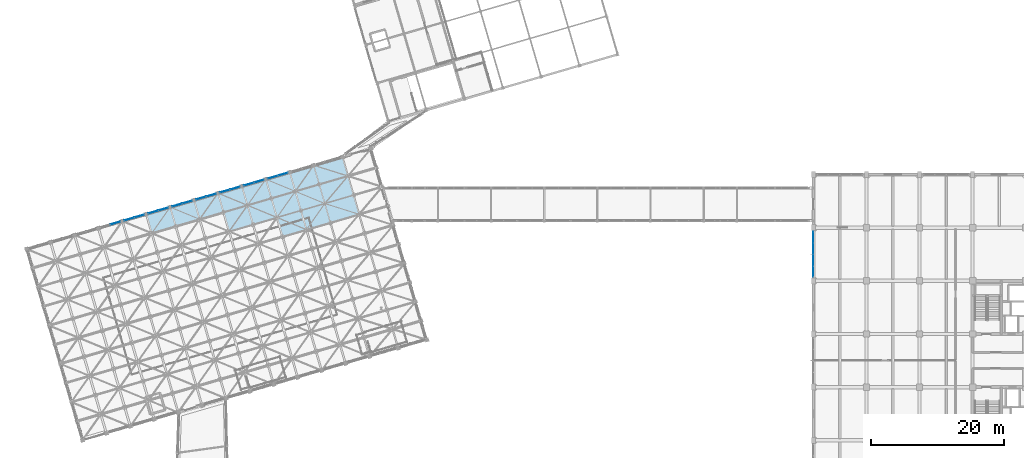
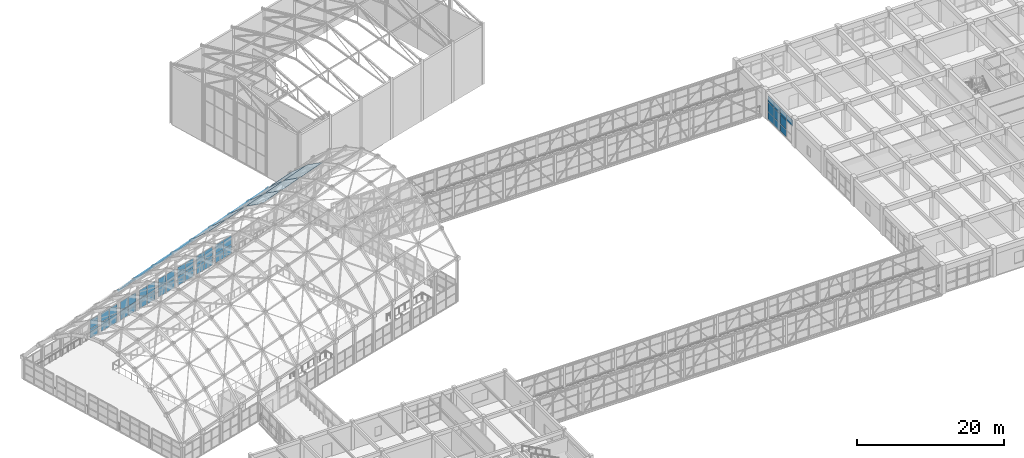
# One storey, part 207 of 248: 56 plates, 9 elements without a shape of their own.
"""IFC4 building model written with IfcOpenShell, lengths in metres."""

from ifc_helpers import new_model, si_unit, direction, frame, origin, origin_2d, place, context, subcontext, project, spatial, polyline, rectangle, outline, extrude, material, layer, layer_set, type_object, element, aggregate, save


model = new_model("IFC4")

# Units and contexts
model_context = context("Model", 3, precision=1e-05, world=origin(), true_north=direction((0.0, 1.0)))
body_context = subcontext(model_context, "Body", "Model", "MODEL_VIEW")
ifc_project = project(units=[si_unit("LENGTHUNIT", "METRE"), si_unit("AREAUNIT", "SQUARE_METRE"), si_unit("VOLUMEUNIT", "CUBIC_METRE"), si_unit("PLANEANGLEUNIT", "RADIAN"), si_unit("MASSUNIT", "GRAM", prefix="KILO")], contexts=[model_context])

# Site, building, storey
site_placement = place(None, origin())
site = spatial("IfcSite", under=ifc_project, at=site_placement, CompositionType="ELEMENT")
building_placement = place(site_placement, origin())
building = spatial("IfcBuilding", under=site, at=building_placement, Name="Canggui Botanical Conservatory", CompositionType="ELEMENT")
storey_placement = place(building_placement, frame((0.0, 0.0, 5.39990234375)))
storey = spatial("IfcBuildingStorey", under=building, at=storey_placement, Name="L02", CompositionType="ELEMENT", Elevation=5.39990234375)

# Curtain wall, plates
ifc_material_1 = material(Name="Thermally Broken Aluminium", Category="aluminium")
ifc_layer_1 = layer(ifc_material_1, 0.1650390625, Name="Thermally Broken Aluminium", Category="aluminium")
ifc_layer_set_1 = layer_set([ifc_layer_1], Name="Thermally Broken Aluminium")
curtain_wall_type_1 = type_object("IfcCurtainWallType", Name="CW-UNIT-B", PredefinedType="USERDEFINED", material=ifc_layer_set_1)
curtain_wall_1_placement = place(storey_placement, origin())
curtain_wall_1 = element("IfcCurtainWall", 1, at=curtain_wall_1_placement, inside=storey, type_object=curtain_wall_type_1, Name="Facade Curtain Wall CW-TWR-L02-12", ObjectType="UNITISED CURTAIN WALL", PredefinedType="USERDEFINED")
ifc_material_2 = material(Name="Low-E Insulated Glass", Category="glass")
ifc_layer_2 = layer(ifc_material_2, 0.030029296875, Name="Low-E Insulated Glass", Category="glass")
ifc_layer_set_2 = layer_set([ifc_layer_2], Name="Low-E Insulated Glass")
plate_type_1 = type_object("IfcPlateType", Name="CWP-02", PredefinedType="CURTAIN_PANEL", material=ifc_layer_set_2)
plate_1_placement = place(storey_placement, frame((130.0, 67.436279296875, 2.91015625), z_axis=(0.0, 0.0, 1.0), x_axis=(0.0, 1.0, 0.0)))
plate_1 = element("IfcPlate", 2, at=plate_1_placement, type_object=plate_type_1, Name="CW-02 panel 1.3", PredefinedType="CURTAIN_PANEL", context=body_context, shape_type="SweptSolid", body=[
    extrude(rectangle(XDim=1.62255859375, YDim=0.030029296875, at=origin_2d()), origin(), (0.0, 0.0, 1.0), 1.030029296875),
])
plate_2_placement = place(storey_placement, frame((130.0, 69.139892578125, 0.06005859375), z_axis=(0.0, 0.0, 1.0), x_axis=(0.0, 1.0, 0.0)))
plate_2 = element("IfcPlate", 3, at=plate_2_placement, type_object=plate_type_1, Name="CW-02 panel 2.1", PredefinedType="CURTAIN_PANEL", context=body_context, shape_type="SweptSolid", body=[
    extrude(rectangle(XDim=1.655029296875, YDim=0.030029296875, at=origin_2d()), origin(), (0.0, 0.0, 1.0), 1.18994140625),
])
plate_3_placement = place(storey_placement, frame((130.0, 69.139892578125, 1.31005859375), z_axis=(0.0, 0.0, 1.0), x_axis=(0.0, 1.0, 0.0)))
plate_3 = element("IfcPlate", 4, at=plate_3_placement, type_object=plate_type_1, Name="CW-02 panel 2.2", PredefinedType="CURTAIN_PANEL", context=body_context, shape_type="SweptSolid", body=[
    extrude(rectangle(XDim=1.655029296875, YDim=0.030029296875, at=origin_2d()), origin(), (0.0, 0.0, 1.0), 1.5400390625),
])
plate_4_placement = place(storey_placement, frame((130.0, 69.139892578125, 2.91015625), z_axis=(0.0, 0.0, 1.0), x_axis=(0.0, 1.0, 0.0)))
plate_4 = element("IfcPlate", 5, at=plate_4_placement, type_object=plate_type_1, Name="CW-02 panel 2.3", PredefinedType="CURTAIN_PANEL", context=body_context, shape_type="SweptSolid", body=[
    extrude(rectangle(XDim=1.655029296875, YDim=0.030029296875, at=origin_2d()), origin(), (0.0, 0.0, 1.0), 1.030029296875),
])
plate_5_placement = place(storey_placement, frame((130.0, 70.860107421875, 0.06005859375), z_axis=(0.0, 0.0, 1.0), x_axis=(0.0, 1.0, 0.0)))
plate_5 = element("IfcPlate", 6, at=plate_5_placement, type_object=plate_type_1, Name="CW-02 panel 3.1", PredefinedType="CURTAIN_PANEL", context=body_context, shape_type="SweptSolid", body=[
    extrude(rectangle(XDim=1.655029296875, YDim=0.030029296875, at=origin_2d()), origin(), (0.0, 0.0, 1.0), 1.18994140625),
])
plate_6_placement = place(storey_placement, frame((130.0, 70.860107421875, 1.31005859375), z_axis=(0.0, 0.0, 1.0), x_axis=(0.0, 1.0, 0.0)))
plate_6 = element("IfcPlate", 7, at=plate_6_placement, type_object=plate_type_1, Name="CW-02 panel 3.2", PredefinedType="CURTAIN_PANEL", context=body_context, shape_type="SweptSolid", body=[
    extrude(rectangle(XDim=1.655029296875, YDim=0.030029296875, at=origin_2d()), origin(), (0.0, 0.0, 1.0), 1.5400390625),
])
plate_7_placement = place(storey_placement, frame((130.0, 70.860107421875, 2.91015625), z_axis=(0.0, 0.0, 1.0), x_axis=(0.0, 1.0, 0.0)))
plate_7 = element("IfcPlate", 8, at=plate_7_placement, type_object=plate_type_1, Name="CW-02 panel 3.3", PredefinedType="CURTAIN_PANEL", context=body_context, shape_type="SweptSolid", body=[
    extrude(rectangle(XDim=1.655029296875, YDim=0.030029296875, at=origin_2d()), origin(), (0.0, 0.0, 1.0), 1.030029296875),
])
plate_8_placement = place(storey_placement, frame((130.0, 72.563720703125, 0.06005859375), z_axis=(0.0, 0.0, 1.0), x_axis=(0.0, 1.0, 0.0)))
plate_8 = element("IfcPlate", 9, at=plate_8_placement, type_object=plate_type_1, Name="CW-02 panel 4.1", PredefinedType="CURTAIN_PANEL", context=body_context, shape_type="SweptSolid", body=[
    extrude(rectangle(XDim=1.62255859375, YDim=0.030029296875, at=origin_2d()), origin(), (0.0, 0.0, 1.0), 1.18994140625),
])
plate_9_placement = place(storey_placement, frame((130.0, 72.563720703125, 1.31005859375), z_axis=(0.0, 0.0, 1.0), x_axis=(0.0, 1.0, 0.0)))
plate_9 = element("IfcPlate", 10, at=plate_9_placement, type_object=plate_type_1, Name="CW-02 panel 4.2", PredefinedType="CURTAIN_PANEL", context=body_context, shape_type="SweptSolid", body=[
    extrude(rectangle(XDim=1.62255859375, YDim=0.030029296875, at=origin_2d()), origin(), (0.0, 0.0, 1.0), 1.5400390625),
])
plate_10_placement = place(storey_placement, frame((130.0, 72.563720703125, 2.91015625), z_axis=(0.0, 0.0, 1.0), x_axis=(0.0, 1.0, 0.0)))
plate_10 = element("IfcPlate", 11, at=plate_10_placement, type_object=plate_type_1, Name="CW-02 panel 4.3", PredefinedType="CURTAIN_PANEL", context=body_context, shape_type="SweptSolid", body=[
    extrude(rectangle(XDim=1.62255859375, YDim=0.030029296875, at=origin_2d()), origin(), (0.0, 0.0, 1.0), 1.030029296875),
])
aggregate(curtain_wall_1, [plate_1, plate_2, plate_3, plate_4, plate_5, plate_6, plate_7, plate_8, plate_9, plate_10])

ifc_layer_3 = layer(ifc_material_1, 0.135009765625, Name="Thermally Broken Aluminium", Category="aluminium")
ifc_layer_set_3 = layer_set([ifc_layer_3], Name="Thermally Broken Aluminium")
curtain_wall_type_2 = type_object("IfcCurtainWallType", Name="CW-STICK-A", PredefinedType="USERDEFINED", material=ifc_layer_set_3)
curtain_wall_2_placement = place(storey_placement, origin())
curtain_wall_2 = element("IfcCurtainWall", 12, at=curtain_wall_2_placement, inside=storey, type_object=curtain_wall_type_2, Name="Facade Curtain Wall CW-CONS-L02-V1-04", ObjectType="STICK GLAZED WALL", PredefinedType="USERDEFINED")
ifc_layer_4 = layer(ifc_material_2, 0.0380859375, Name="Low-E Insulated Glass", Category="glass")
ifc_layer_set_4 = layer_set([ifc_layer_4], Name="Low-E Insulated Glass")
plate_type_2 = type_object("IfcPlateType", Name="CWP-04", PredefinedType="CURTAIN_PANEL", material=ifc_layer_set_4)
plate_11_placement = place(storey_placement, frame((24.965576171875, 74.6982421875, 0.050048828125), z_axis=(0.0, 0.0, 1.0), x_axis=(0.960000000002, 0.279999999995, 0.0)))
plate_11 = element("IfcPlate", 13, at=plate_11_placement, type_object=plate_type_2, Name="CW-04 panel 2.1", PredefinedType="CURTAIN_PANEL", context=body_context, shape_type="SweptSolid", body=[
    extrude(rectangle(XDim=1.534912109375, YDim=0.0380859375, at=origin_2d()), origin(), (0.0, 0.0, 1.0), 1.47509765625),
])
plate_12_placement = place(storey_placement, frame((24.965576171875, 74.6982421875, 1.574951171875), z_axis=(0.0, 0.0, 1.0), x_axis=(0.960000000002, 0.279999999995, 0.0)))
plate_12 = element("IfcPlate", 14, at=plate_12_placement, type_object=plate_type_2, Name="CW-04 panel 2.2", PredefinedType="CURTAIN_PANEL", context=body_context, shape_type="SweptSolid", body=[
    extrude(rectangle(XDim=1.534912109375, YDim=0.0380859375, at=origin_2d()), origin(), (0.0, 0.0, 1.0), 1.47509765625),
])
aggregate(curtain_wall_2, [plate_11, plate_12])

curtain_wall_3_placement = place(storey_placement, origin())
curtain_wall_3 = element("IfcCurtainWall", 15, at=curtain_wall_3_placement, inside=storey, type_object=curtain_wall_type_2, Name="Facade Curtain Wall CW-CONS-L02-V1-05", ObjectType="STICK GLAZED WALL", PredefinedType="USERDEFINED")
plate_13_placement = place(storey_placement, frame((27.034423828125, 75.3017578125, 0.050048828125), z_axis=(0.0, 0.0, 1.0), x_axis=(0.960000000002, 0.279999999995, 0.0)))
plate_13 = element("IfcPlate", 16, at=plate_13_placement, type_object=plate_type_2, Name="CW-04 panel 1.1", PredefinedType="CURTAIN_PANEL", context=body_context, shape_type="SweptSolid", body=[
    extrude(rectangle(XDim=1.534912109375, YDim=0.0380859375, at=origin_2d()), origin(), (0.0, 0.0, 1.0), 1.47509765625),
])
plate_14_placement = place(storey_placement, frame((27.034423828125, 75.3017578125, 1.574951171875), z_axis=(0.0, 0.0, 1.0), x_axis=(0.960000000002, 0.279999999995, 0.0)))
plate_14 = element("IfcPlate", 17, at=plate_14_placement, type_object=plate_type_2, Name="CW-04 panel 1.2", PredefinedType="CURTAIN_PANEL", context=body_context, shape_type="SweptSolid", body=[
    extrude(rectangle(XDim=1.534912109375, YDim=0.0380859375, at=origin_2d()), origin(), (0.0, 0.0, 1.0), 1.47509765625),
])
plate_15_placement = place(storey_placement, frame((28.565673828125, 75.748291015625, 0.050048828125), z_axis=(0.0, 0.0, 1.0), x_axis=(0.960000000002, 0.279999999995, 0.0)))
plate_15 = element("IfcPlate", 18, at=plate_15_placement, type_object=plate_type_2, Name="CW-04 panel 2.1", PredefinedType="CURTAIN_PANEL", context=body_context, shape_type="SweptSolid", body=[
    extrude(rectangle(XDim=1.534912109375, YDim=0.0380859375, at=origin_2d()), origin(), (0.0, 0.0, 1.0), 1.47509765625),
])
plate_16_placement = place(storey_placement, frame((28.565673828125, 75.748291015625, 1.574951171875), z_axis=(0.0, 0.0, 1.0), x_axis=(0.960000000002, 0.279999999995, 0.0)))
plate_16 = element("IfcPlate", 19, at=plate_16_placement, type_object=plate_type_2, Name="CW-04 panel 2.2", PredefinedType="CURTAIN_PANEL", context=body_context, shape_type="SweptSolid", body=[
    extrude(rectangle(XDim=1.534912109375, YDim=0.0380859375, at=origin_2d()), origin(), (0.0, 0.0, 1.0), 1.47509765625),
])
aggregate(curtain_wall_3, [plate_13, plate_14, plate_15, plate_16])

curtain_wall_4_placement = place(storey_placement, origin())
curtain_wall_4 = element("IfcCurtainWall", 20, at=curtain_wall_4_placement, inside=storey, type_object=curtain_wall_type_2, Name="Facade Curtain Wall CW-CONS-L02-V1-06", ObjectType="STICK GLAZED WALL", PredefinedType="USERDEFINED")
plate_17_placement = place(storey_placement, frame((30.634521484375, 76.351806640625, 0.050048828125), z_axis=(0.0, 0.0, 1.0), x_axis=(0.960000000002, 0.279999999995, 0.0)))
plate_17 = element("IfcPlate", 21, at=plate_17_placement, type_object=plate_type_2, Name="CW-04 panel 1.1", PredefinedType="CURTAIN_PANEL", context=body_context, shape_type="SweptSolid", body=[
    extrude(rectangle(XDim=1.534912109375, YDim=0.0380859375, at=origin_2d()), origin(), (0.0, 0.0, 1.0), 1.47509765625),
])
plate_18_placement = place(storey_placement, frame((30.634521484375, 76.351806640625, 1.574951171875), z_axis=(0.0, 0.0, 1.0), x_axis=(0.960000000002, 0.279999999995, 0.0)))
plate_18 = element("IfcPlate", 22, at=plate_18_placement, type_object=plate_type_2, Name="CW-04 panel 1.2", PredefinedType="CURTAIN_PANEL", context=body_context, shape_type="SweptSolid", body=[
    extrude(rectangle(XDim=1.534912109375, YDim=0.0380859375, at=origin_2d()), origin(), (0.0, 0.0, 1.0), 1.47509765625),
])
plate_19_placement = place(storey_placement, frame((32.16552734375, 76.79833984375, 0.050048828125), z_axis=(0.0, 0.0, 1.0), x_axis=(0.960000000002, 0.279999999995, 0.0)))
plate_19 = element("IfcPlate", 23, at=plate_19_placement, type_object=plate_type_2, Name="CW-04 panel 2.1", PredefinedType="CURTAIN_PANEL", context=body_context, shape_type="SweptSolid", body=[
    extrude(rectangle(XDim=1.534912109375, YDim=0.0380859375, at=origin_2d()), origin(), (0.0, 0.0, 1.0), 1.47509765625),
])
plate_20_placement = place(storey_placement, frame((32.16552734375, 76.79833984375, 1.574951171875), z_axis=(0.0, 0.0, 1.0), x_axis=(0.960000000002, 0.279999999995, 0.0)))
plate_20 = element("IfcPlate", 24, at=plate_20_placement, type_object=plate_type_2, Name="CW-04 panel 2.2", PredefinedType="CURTAIN_PANEL", context=body_context, shape_type="SweptSolid", body=[
    extrude(rectangle(XDim=1.534912109375, YDim=0.0380859375, at=origin_2d()), origin(), (0.0, 0.0, 1.0), 1.47509765625),
])
aggregate(curtain_wall_4, [plate_17, plate_18, plate_19, plate_20])

curtain_wall_5_placement = place(storey_placement, origin())
curtain_wall_5 = element("IfcCurtainWall", 25, at=curtain_wall_5_placement, inside=storey, type_object=curtain_wall_type_2, Name="Facade Curtain Wall CW-CONS-L02-V1-07", ObjectType="STICK GLAZED WALL", PredefinedType="USERDEFINED")
plate_21_placement = place(storey_placement, frame((34.234375, 77.401611328125, 0.050048828125), z_axis=(0.0, 0.0, 1.0), x_axis=(0.960000000002, 0.279999999995, 0.0)))
plate_21 = element("IfcPlate", 26, at=plate_21_placement, type_object=plate_type_2, Name="CW-04 panel 1.1", PredefinedType="CURTAIN_PANEL", context=body_context, shape_type="SweptSolid", body=[
    extrude(rectangle(XDim=1.534912109375, YDim=0.0380859375, at=origin_2d()), origin(), (0.0, 0.0, 1.0), 1.47509765625),
])
plate_22_placement = place(storey_placement, frame((34.234375, 77.401611328125, 1.574951171875), z_axis=(0.0, 0.0, 1.0), x_axis=(0.960000000002, 0.279999999995, 0.0)))
plate_22 = element("IfcPlate", 27, at=plate_22_placement, type_object=plate_type_2, Name="CW-04 panel 1.2", PredefinedType="CURTAIN_PANEL", context=body_context, shape_type="SweptSolid", body=[
    extrude(rectangle(XDim=1.534912109375, YDim=0.0380859375, at=origin_2d()), origin(), (0.0, 0.0, 1.0), 1.47509765625),
])
plate_23_placement = place(storey_placement, frame((35.765625, 77.848388671875, 0.050048828125), z_axis=(0.0, 0.0, 1.0), x_axis=(0.960000000002, 0.279999999995, 0.0)))
plate_23 = element("IfcPlate", 28, at=plate_23_placement, type_object=plate_type_2, Name="CW-04 panel 2.1", PredefinedType="CURTAIN_PANEL", context=body_context, shape_type="SweptSolid", body=[
    extrude(rectangle(XDim=1.534912109375, YDim=0.0380859375, at=origin_2d()), origin(), (0.0, 0.0, 1.0), 1.47509765625),
])
plate_24_placement = place(storey_placement, frame((35.765625, 77.848388671875, 1.574951171875), z_axis=(0.0, 0.0, 1.0), x_axis=(0.960000000002, 0.279999999995, 0.0)))
plate_24 = element("IfcPlate", 29, at=plate_24_placement, type_object=plate_type_2, Name="CW-04 panel 2.2", PredefinedType="CURTAIN_PANEL", context=body_context, shape_type="SweptSolid", body=[
    extrude(rectangle(XDim=1.534912109375, YDim=0.0380859375, at=origin_2d()), origin(), (0.0, 0.0, 1.0), 1.47509765625),
])
aggregate(curtain_wall_5, [plate_21, plate_22, plate_23, plate_24])

curtain_wall_6_placement = place(storey_placement, origin())
curtain_wall_6 = element("IfcCurtainWall", 30, at=curtain_wall_6_placement, inside=storey, type_object=curtain_wall_type_2, Name="Facade Curtain Wall CW-CONS-L02-V1-08", ObjectType="STICK GLAZED WALL", PredefinedType="USERDEFINED")
plate_25_placement = place(storey_placement, frame((37.83447265625, 78.45166015625, 0.050048828125), z_axis=(0.0, 0.0, 1.0), x_axis=(0.960000000002, 0.279999999995, 0.0)))
plate_25 = element("IfcPlate", 31, at=plate_25_placement, type_object=plate_type_2, Name="CW-04 panel 1.1", PredefinedType="CURTAIN_PANEL", context=body_context, shape_type="SweptSolid", body=[
    extrude(rectangle(XDim=1.534912109375, YDim=0.0380859375, at=origin_2d()), origin(), (0.0, 0.0, 1.0), 1.47509765625),
])
plate_26_placement = place(storey_placement, frame((37.83447265625, 78.45166015625, 1.574951171875), z_axis=(0.0, 0.0, 1.0), x_axis=(0.960000000002, 0.279999999995, 0.0)))
plate_26 = element("IfcPlate", 32, at=plate_26_placement, type_object=plate_type_2, Name="CW-04 panel 1.2", PredefinedType="CURTAIN_PANEL", context=body_context, shape_type="SweptSolid", body=[
    extrude(rectangle(XDim=1.534912109375, YDim=0.0380859375, at=origin_2d()), origin(), (0.0, 0.0, 1.0), 1.47509765625),
])
plate_27_placement = place(storey_placement, frame((39.365478515625, 78.898193359375, 0.050048828125), z_axis=(0.0, 0.0, 1.0), x_axis=(0.960000000002, 0.279999999995, 0.0)))
plate_27 = element("IfcPlate", 33, at=plate_27_placement, type_object=plate_type_2, Name="CW-04 panel 2.1", PredefinedType="CURTAIN_PANEL", context=body_context, shape_type="SweptSolid", body=[
    extrude(rectangle(XDim=1.534912109375, YDim=0.0380859375, at=origin_2d()), origin(), (0.0, 0.0, 1.0), 1.47509765625),
])
plate_28_placement = place(storey_placement, frame((39.365478515625, 78.898193359375, 1.574951171875), z_axis=(0.0, 0.0, 1.0), x_axis=(0.960000000002, 0.279999999995, 0.0)))
plate_28 = element("IfcPlate", 34, at=plate_28_placement, type_object=plate_type_2, Name="CW-04 panel 2.2", PredefinedType="CURTAIN_PANEL", context=body_context, shape_type="SweptSolid", body=[
    extrude(rectangle(XDim=1.534912109375, YDim=0.0380859375, at=origin_2d()), origin(), (0.0, 0.0, 1.0), 1.47509765625),
])
aggregate(curtain_wall_6, [plate_25, plate_26, plate_27, plate_28])

curtain_wall_7_placement = place(storey_placement, origin())
curtain_wall_7 = element("IfcCurtainWall", 35, at=curtain_wall_7_placement, inside=storey, type_object=curtain_wall_type_2, Name="Facade Curtain Wall CW-CONS-L02-V1-09", ObjectType="STICK GLAZED WALL", PredefinedType="USERDEFINED")
plate_29_placement = place(storey_placement, frame((41.434326171875, 79.501708984375, 0.050048828125), z_axis=(0.0, 0.0, 1.0), x_axis=(0.960000000002, 0.279999999995, 0.0)))
plate_29 = element("IfcPlate", 36, at=plate_29_placement, type_object=plate_type_2, Name="CW-04 panel 1.1", PredefinedType="CURTAIN_PANEL", context=body_context, shape_type="SweptSolid", body=[
    extrude(rectangle(XDim=1.534912109375, YDim=0.0380859375, at=origin_2d()), origin(), (0.0, 0.0, 1.0), 1.47509765625),
])
plate_30_placement = place(storey_placement, frame((41.434326171875, 79.501708984375, 1.574951171875), z_axis=(0.0, 0.0, 1.0), x_axis=(0.960000000002, 0.279999999995, 0.0)))
plate_30 = element("IfcPlate", 37, at=plate_30_placement, type_object=plate_type_2, Name="CW-04 panel 1.2", PredefinedType="CURTAIN_PANEL", context=body_context, shape_type="SweptSolid", body=[
    extrude(rectangle(XDim=1.534912109375, YDim=0.0380859375, at=origin_2d()), origin(), (0.0, 0.0, 1.0), 1.47509765625),
])
plate_31_placement = place(storey_placement, frame((42.965576171875, 79.9482421875, 0.050048828125), z_axis=(0.0, 0.0, 1.0), x_axis=(0.960000000002, 0.279999999995, 0.0)))
plate_31 = element("IfcPlate", 38, at=plate_31_placement, type_object=plate_type_2, Name="CW-04 panel 2.1", PredefinedType="CURTAIN_PANEL", context=body_context, shape_type="SweptSolid", body=[
    extrude(rectangle(XDim=1.534912109375, YDim=0.0380859375, at=origin_2d()), origin(), (0.0, 0.0, 1.0), 1.47509765625),
])
plate_32_placement = place(storey_placement, frame((42.965576171875, 79.9482421875, 1.574951171875), z_axis=(0.0, 0.0, 1.0), x_axis=(0.960000000002, 0.279999999995, 0.0)))
plate_32 = element("IfcPlate", 39, at=plate_32_placement, type_object=plate_type_2, Name="CW-04 panel 2.2", PredefinedType="CURTAIN_PANEL", context=body_context, shape_type="SweptSolid", body=[
    extrude(rectangle(XDim=1.534912109375, YDim=0.0380859375, at=origin_2d()), origin(), (0.0, 0.0, 1.0), 1.47509765625),
])
aggregate(curtain_wall_7, [plate_29, plate_30, plate_31, plate_32])

curtain_wall_8_placement = place(storey_placement, origin())
curtain_wall_8 = element("IfcCurtainWall", 40, at=curtain_wall_8_placement, inside=storey, type_object=curtain_wall_type_2, Name="Facade Curtain Wall CW-CONS-L02-V1-10", ObjectType="STICK GLAZED WALL", PredefinedType="USERDEFINED")
plate_33_placement = place(storey_placement, frame((45.034423828125, 80.5517578125, 0.050048828125), z_axis=(0.0, 0.0, 1.0), x_axis=(0.960000000002, 0.279999999995, 0.0)))
plate_33 = element("IfcPlate", 41, at=plate_33_placement, type_object=plate_type_2, Name="CW-04 panel 1.1", PredefinedType="CURTAIN_PANEL", context=body_context, shape_type="SweptSolid", body=[
    extrude(rectangle(XDim=1.534912109375, YDim=0.0380859375, at=origin_2d()), origin(), (0.0, 0.0, 1.0), 1.47509765625),
])
plate_34_placement = place(storey_placement, frame((45.034423828125, 80.5517578125, 1.574951171875), z_axis=(0.0, 0.0, 1.0), x_axis=(0.960000000002, 0.279999999995, 0.0)))
plate_34 = element("IfcPlate", 42, at=plate_34_placement, type_object=plate_type_2, Name="CW-04 panel 1.2", PredefinedType="CURTAIN_PANEL", context=body_context, shape_type="SweptSolid", body=[
    extrude(rectangle(XDim=1.534912109375, YDim=0.0380859375, at=origin_2d()), origin(), (0.0, 0.0, 1.0), 1.47509765625),
])
plate_35_placement = place(storey_placement, frame((46.565673828125, 80.998291015625, 0.050048828125), z_axis=(0.0, 0.0, 1.0), x_axis=(0.960000000002, 0.279999999995, 0.0)))
plate_35 = element("IfcPlate", 43, at=plate_35_placement, type_object=plate_type_2, Name="CW-04 panel 2.1", PredefinedType="CURTAIN_PANEL", context=body_context, shape_type="SweptSolid", body=[
    extrude(rectangle(XDim=1.534912109375, YDim=0.0380859375, at=origin_2d()), origin(), (0.0, 0.0, 1.0), 1.47509765625),
])
plate_36_placement = place(storey_placement, frame((46.565673828125, 80.998291015625, 1.574951171875), z_axis=(0.0, 0.0, 1.0), x_axis=(0.960000000002, 0.279999999995, 0.0)))
plate_36 = element("IfcPlate", 44, at=plate_36_placement, type_object=plate_type_2, Name="CW-04 panel 2.2", PredefinedType="CURTAIN_PANEL", context=body_context, shape_type="SweptSolid", body=[
    extrude(rectangle(XDim=1.534912109375, YDim=0.0380859375, at=origin_2d()), origin(), (0.0, 0.0, 1.0), 1.47509765625),
])
aggregate(curtain_wall_8, [plate_33, plate_34, plate_35, plate_36])

curtain_wall_9_placement = place(storey_placement, origin())
curtain_wall_9 = element("IfcCurtainWall", 45, at=curtain_wall_9_placement, inside=storey, type_object=curtain_wall_type_2, Name="Facade Curtain Wall CW-CONS-L02-V1-11", ObjectType="STICK GLAZED WALL", PredefinedType="USERDEFINED")
plate_37_placement = place(storey_placement, frame((48.634521484375, 81.601806640625, 0.050048828125), z_axis=(0.0, 0.0, 1.0), x_axis=(0.960000000002, 0.279999999995, 0.0)))
plate_37 = element("IfcPlate", 46, at=plate_37_placement, type_object=plate_type_2, Name="CW-04 panel 1.1", PredefinedType="CURTAIN_PANEL", context=body_context, shape_type="SweptSolid", body=[
    extrude(rectangle(XDim=1.534912109375, YDim=0.0380859375, at=origin_2d()), origin(), (0.0, 0.0, 1.0), 1.47509765625),
])
plate_38_placement = place(storey_placement, frame((48.634521484375, 81.601806640625, 1.574951171875), z_axis=(0.0, 0.0, 1.0), x_axis=(0.960000000002, 0.279999999995, 0.0)))
plate_38 = element("IfcPlate", 47, at=plate_38_placement, type_object=plate_type_2, Name="CW-04 panel 1.2", PredefinedType="CURTAIN_PANEL", context=body_context, shape_type="SweptSolid", body=[
    extrude(rectangle(XDim=1.534912109375, YDim=0.0380859375, at=origin_2d()), origin(), (0.0, 0.0, 1.0), 1.47509765625),
])
plate_39_placement = place(storey_placement, frame((50.16552734375, 82.04833984375, 0.050048828125), z_axis=(0.0, 0.0, 1.0), x_axis=(0.960000000002, 0.279999999995, 0.0)))
plate_39 = element("IfcPlate", 48, at=plate_39_placement, type_object=plate_type_2, Name="CW-04 panel 2.1", PredefinedType="CURTAIN_PANEL", context=body_context, shape_type="SweptSolid", body=[
    extrude(rectangle(XDim=1.534912109375, YDim=0.0380859375, at=origin_2d()), origin(), (0.0, 0.0, 1.0), 1.47509765625),
])
plate_40_placement = place(storey_placement, frame((50.16552734375, 82.04833984375, 1.574951171875), z_axis=(0.0, 0.0, 1.0), x_axis=(0.960000000002, 0.279999999995, 0.0)))
plate_40 = element("IfcPlate", 49, at=plate_40_placement, type_object=plate_type_2, Name="CW-04 panel 2.2", PredefinedType="CURTAIN_PANEL", context=body_context, shape_type="SweptSolid", body=[
    extrude(rectangle(XDim=1.534912109375, YDim=0.0380859375, at=origin_2d()), origin(), (0.0, 0.0, 1.0), 1.47509765625),
])
aggregate(curtain_wall_9, [plate_37, plate_38, plate_39, plate_40])

# Plates
ifc_layer_5 = layer(ifc_material_2, 0.031982421875, Name="Low-E Insulated Glass", Category="glass")
ifc_layer_set_5 = layer_set([ifc_layer_5], Name="Low-E Insulated Glass")
plate_type_3 = type_object("IfcPlateType", Name="PLT-GS-GLAZ-32", PredefinedType="SHEET", material=ifc_layer_set_5)
plate_41_placement = place(storey_placement, frame((30.43994140625, 73.169921875, 8.571044921875), z_axis=(-0.253168768554, 0.712036909135, 0.654911455586), x_axis=(0.95787033618, 0.279390723253, 0.066522498648)))
element("IfcPlate", 50, at=plate_41_placement, inside=storey, type_object=plate_type_3, Name="Conservatory Stepped-Arch Roof Glazing Panel 6-10", PredefinedType="SHEET", context=body_context, shape_type="SweptSolid", body=[
    extrude(outline(polyline([(0.0, 0.0), (3.758431278476214, 1.942890293094024e-16), (3.5285113674826025, 4.570812812471781), (-0.22968605593106714, 4.570779704632201), (0.0, 0.0)])), origin(), (0.0, 0.0, -1.0), 0.031982421875),
])
plate_42_placement = place(storey_placement, frame((34.0400390625, 74.219970703125, 8.821044921875), z_axis=(-0.253149351755, 0.712056369191, 0.654897803325), x_axis=(0.957874996538, 0.279379929706, 0.066500720943)))
element("IfcPlate", 51, at=plate_42_placement, inside=storey, type_object=plate_type_3, Name="Conservatory Stepped-Arch Roof Glazing Panel 7-10", PredefinedType="SHEET", context=body_context, shape_type="SweptSolid", body=[
    extrude(outline(polyline([(0.0, 0.0), (3.7581974218396392, 1.6653345369377348e-16), (3.5284834220944137, 4.570624465603852), (-0.22987964795490157, 4.570814836181451), (0.0, 0.0)])), origin(), (0.0, 0.0, -1.0), 0.031982421875),
])
plate_43_placement = place(storey_placement, frame((37.639892578125, 75.27001953125, 9.071044921875), z_axis=(-0.253173926234, 0.712061408254, 0.654882824596), x_axis=(0.957870336095, 0.279390723574, 0.066522498522)))
element("IfcPlate", 52, at=plate_43_placement, inside=storey, type_object=plate_type_3, Name="Conservatory Stepped-Arch Roof Glazing Panel 8-10", PredefinedType="SHEET", context=body_context, shape_type="SweptSolid", body=[
    extrude(outline(polyline([(0.0, 0.0), (3.7584312784762086, 1.1102230246251565e-16), (3.528443158286221, 4.570655548640124), (-0.2297542651274641, 4.5706224431512945), (0.0, 0.0)])), origin(), (0.0, 0.0, -1.0), 0.031982421875),
])
plate_44_placement = place(storey_placement, frame((42.080078125, 73.43994140625, 12.009033203125), z_axis=(-0.23423165077, 0.625933441291, 0.743870190861), x_axis=(0.957868841685, 0.279397491039, 0.066515593128)))
element("IfcPlate", 53, at=plate_44_placement, inside=storey, type_object=plate_type_3, Name="Conservatory Stepped-Arch Roof Glazing Panel 9-9", PredefinedType="SHEET", context=body_context, shape_type="SweptSolid", body=[
    extrude(outline(polyline([(0.0, 0.0), (3.7581974235778, 1.6653345369377348e-16), (3.579644373299462, 4.024160607889209), (-0.17878690497601485, 4.024201184337178), (0.0, 0.0)])), origin(), (0.0, 0.0, -1.0), 0.031982421875),
])
plate_45_placement = place(storey_placement, frame((41.239990234375, 76.320068359375, 9.321044921875), z_axis=(-0.253165189026, 0.712059616731, 0.654888150211), x_axis=(0.957872417874, 0.27938486839, 0.066517113516)))
element("IfcPlate", 54, at=plate_45_placement, inside=storey, type_object=plate_type_3, Name="Conservatory Stepped-Arch Roof Glazing Panel 9-10", PredefinedType="SHEET", context=body_context, shape_type="SweptSolid", body=[
    extrude(outline(polyline([(0.0, 0.0), (3.7584312786032728, 1.3877787807814457e-16), (3.528443158166933, 4.570655548732213), (-0.22998812043633957, 4.570655548732213), (0.0, 0.0)])), origin(), (0.0, 0.0, -1.0), 0.031982421875),
])
plate_46_placement = place(storey_placement, frame((45.679931640625, 74.489990234375, 12.259033203125), z_axis=(-0.234215481946, 0.625953603967, 0.743858315607), x_axis=(0.957875397942, 0.279376904226, 0.066507649199)))
element("IfcPlate", 55, at=plate_46_placement, inside=storey, type_object=plate_type_3, Name="Conservatory Stepped-Arch Roof Glazing Panel 10-9", PredefinedType="SHEET", context=body_context, shape_type="SweptSolid", body=[
    extrude(outline(polyline([(0.0, 0.0), (3.7584312782990614, 2.7755575615628914e-17), (3.5795327187888293, 4.0240214936010785), (-0.17859649595989782, 4.024158679775516), (0.0, 0.0)])), origin(), (0.0, 0.0, -1.0), 0.031982421875),
])
plate_47_placement = place(storey_placement, frame((44.840087890625, 77.3701171875, 9.571044921875), z_axis=(-0.253149351755, 0.712056369191, 0.654897803325), x_axis=(0.957880670535, 0.279352974704, 0.066532221811)))
element("IfcPlate", 56, at=plate_47_placement, inside=storey, type_object=plate_type_3, Name="Conservatory Stepped-Arch Roof Glazing Panel 10-10", PredefinedType="SHEET", context=body_context, shape_type="SweptSolid", body=[
    extrude(outline(polyline([(0.0, 0.0), (3.758129217139364, -1.1102230246251565e-16), (3.528292157565924, 4.5707721138151705), (-0.23013911856886002, 4.570647947902423), (0.0, 0.0)])), origin(), (0.0, 0.0, -1.0), 0.031982421875),
])
plate_48_placement = place(storey_placement, frame((50.1201171875, 72.659912109375, 14.42919921875), z_axis=(-0.204535290087, 0.500988862711, 0.840937259579), x_axis=(0.957867059601, 0.279402253194, 0.066521252562)))
element("IfcPlate", 57, at=plate_48_placement, inside=storey, type_object=plate_type_3, Name="Conservatory Stepped-Arch Roof Glazing Panel 11-8", PredefinedType="SHEET", context=body_context, shape_type="SweptSolid", body=[
    extrude(outline(polyline([(0.0, 0.0), (3.758197423686568, 1.6653345369377348e-16), (3.630487017787854, 3.5597200044214476), (-0.12771040589871432, 3.5597200044214476), (0.0, 0.0)])), origin(), (0.0, 0.0, -1.0), 0.031982421875),
])
plate_49_placement = place(storey_placement, frame((49.280029296875, 75.5400390625, 12.509033203125), z_axis=(-0.23423796207, 0.625961091657, 0.74384493603), x_axis=(0.957868841781, 0.279397490701, 0.066515593167)))
element("IfcPlate", 58, at=plate_49_placement, inside=storey, type_object=plate_type_3, Name="Conservatory Stepped-Arch Roof Glazing Panel 11-9", PredefinedType="SHEET", context=body_context, shape_type="SweptSolid", body=[
    extrude(outline(polyline([(0.0, 0.0), (3.758197423577794, 1.1102230246251565e-16), (3.5795761598587448, 4.023982850561634), (-0.1788551184167501, 4.024023424837827), (0.0, 0.0)])), origin(), (0.0, 0.0, -1.0), 0.031982421875),
])
plate_50_placement = place(storey_placement, frame((48.43994140625, 78.419921875, 9.821044921875), z_axis=(-0.253168768554, 0.712036909135, 0.654911455586), x_axis=(0.95787033618, 0.279390723253, 0.066522498648)))
element("IfcPlate", 59, at=plate_50_placement, inside=storey, type_object=plate_type_3, Name="Conservatory Stepped-Arch Roof Glazing Panel 11-10", PredefinedType="SHEET", context=body_context, shape_type="SweptSolid", body=[
    extrude(outline(polyline([(0.0, 0.0), (3.758431278476214, 1.942890293094024e-16), (3.5285113674826025, 4.570812812471781), (-0.22968605593106714, 4.570779704632201), (0.0, 0.0)])), origin(), (0.0, 0.0, -1.0), 0.031982421875),
])
plate_51_placement = place(storey_placement, frame((53.719970703125, 73.7099609375, 14.67919921875), z_axis=(-0.204510654539, 0.501012062835, 0.840929429307), x_axis=(0.95787574588, 0.279376715758, 0.066503429584)))
element("IfcPlate", 60, at=plate_51_placement, inside=storey, type_object=plate_type_3, Name="Conservatory Stepped-Arch Roof Glazing Panel 12-8", PredefinedType="SHEET", context=body_context, shape_type="SweptSolid", body=[
    extrude(outline(polyline([(0.0, 0.0), (3.7584312781056726, -8.326672684688674e-17), (3.630606039782273, 3.5595183536506787), (-0.12775703111740433, 3.559718330839215), (0.0, 0.0)])), origin(), (0.0, 0.0, -1.0), 0.031982421875),
])
plate_52_placement = place(storey_placement, frame((52.8798828125, 76.590087890625, 12.759033203125), z_axis=(-0.234215481946, 0.625953603967, 0.743858315607), x_axis=(0.957883256961, 0.279342467, 0.066539102514)))
element("IfcPlate", 61, at=plate_52_placement, inside=storey, type_object=plate_type_3, Name="Conservatory Stepped-Arch Roof Glazing Panel 12-9", PredefinedType="SHEET", context=body_context, shape_type="SweptSolid", body=[
    extrude(outline(polyline([(0.0, 0.0), (3.758363075250778, 1.3877787807814457e-16), (3.5793423910025632, 4.024190789937184), (-0.17885502487566546, 4.023972466026054), (0.0, 0.0)])), origin(), (0.0, 0.0, -1.0), 0.031982421875),
])
plate_53_placement = place(storey_placement, frame((52.0400390625, 79.469970703125, 10.071044921875), z_axis=(-0.253149351755, 0.712056369191, 0.654897803325), x_axis=(0.957874996538, 0.279379929706, 0.066500720943)))
element("IfcPlate", 62, at=plate_53_placement, inside=storey, type_object=plate_type_3, Name="Conservatory Stepped-Arch Roof Glazing Panel 12-10", PredefinedType="SHEET", context=body_context, shape_type="SweptSolid", body=[
    extrude(outline(polyline([(0.0, 0.0), (3.7581974218396392, 1.6653345369377348e-16), (3.5284834220944137, 4.570624465603852), (-0.22987964795490157, 4.570814836181451), (0.0, 0.0)])), origin(), (0.0, 0.0, -1.0), 0.031982421875),
])
plate_54_placement = place(storey_placement, frame((57.320068359375, 74.760009765625, 14.92919921875), z_axis=(-0.20451441587, 0.501006733332, 0.840931689769), x_axis=(0.957869192965, 0.279401706559, 0.066492823221)))
element("IfcPlate", 63, at=plate_54_placement, inside=storey, type_object=plate_type_3, Name="Conservatory Stepped-Arch Roof Glazing Panel 13-8", PredefinedType="SHEET", context=body_context, shape_type="SweptSolid", body=[
    extrude(outline(polyline([(0.0, 0.0), (4.50981027704947, 1.6653345369377348e-16), (4.382332968689222, 3.5593415225387326), (-0.12772739674310526, 3.559521865553675), (0.0, 0.0)])), origin(), (0.0, 0.0, -1.0), 0.031982421875),
])
plate_55_placement = place(storey_placement, frame((56.47998046875, 77.639892578125, 13.009033203125), z_axis=(-0.234226862967, 0.625929450922, 0.74387505613), x_axis=(0.957873732332, 0.279377583078, 0.066528783105)))
element("IfcPlate", 64, at=plate_55_placement, inside=storey, type_object=plate_type_3, Name="Conservatory Stepped-Arch Roof Glazing Panel 13-9", PredefinedType="SHEET", context=body_context, shape_type="SweptSolid", body=[
    extrude(outline(polyline([(0.0, 0.0), (4.5100603697071024, 2.7755575615628914e-17), (4.331176564198072, 4.024196878180266), (-0.17888380550902938, 4.024196878180265), (0.0, 0.0)])), origin(), (0.0, 0.0, -1.0), 0.031982421875),
])
plate_56_placement = place(storey_placement, frame((55.639892578125, 80.52001953125, 10.321044921875), z_axis=(-0.25316904062, 0.712067665788, 0.654877909393), x_axis=(0.957873732332, 0.279377583078, 0.066528783105)))
element("IfcPlate", 65, at=plate_56_placement, inside=storey, type_object=plate_type_3, Name="Conservatory Stepped-Arch Roof Glazing Panel 13-10", PredefinedType="SHEET", context=body_context, shape_type="SweptSolid", body=[
    extrude(outline(polyline([(0.0, 0.0), (4.5100603697071024, 5.551115123125783e-17), (4.280243689320657, 4.570619305362661), (-0.22981668038644426, 4.570619305362661), (0.0, 0.0)])), origin(), (0.0, 0.0, -1.0), 0.031982421875),
])

save(model, "model.ifc")
